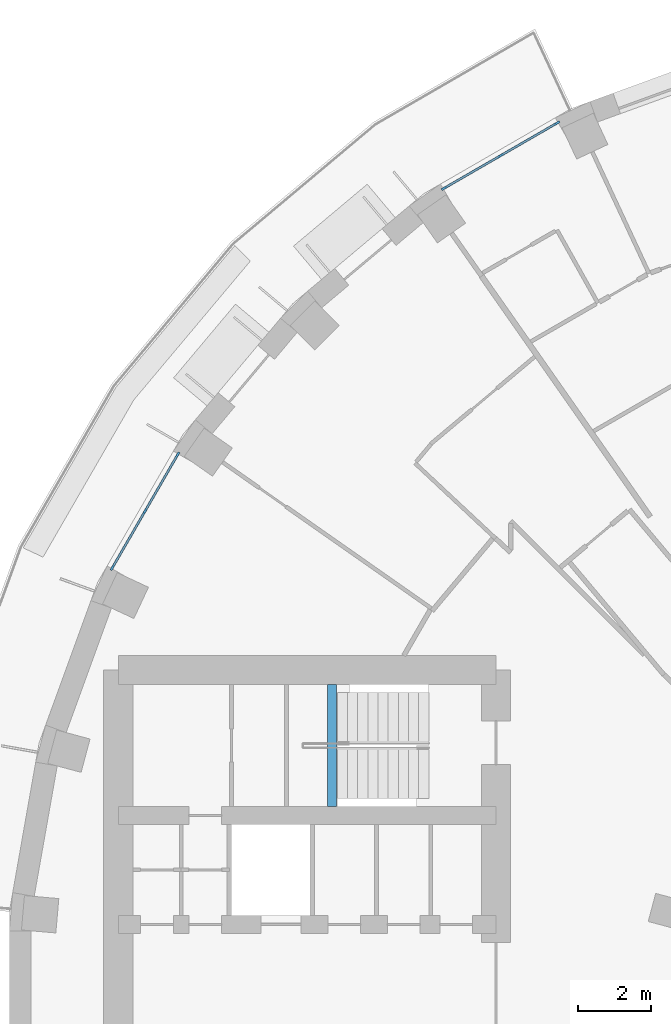
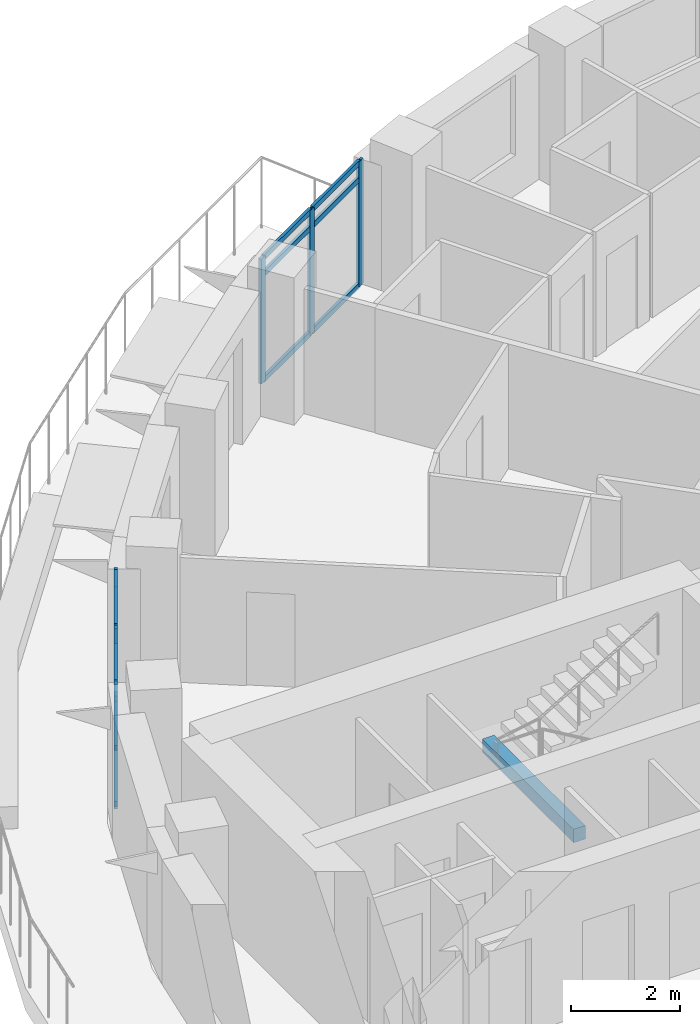
# One storey, part 2 of 14: 18 members, 1 beam, 2 elements without a shape of their own.
"""IFC4 building model written with IfcOpenShell, lengths in metres."""

from ifc_helpers import new_model, si_unit, direction, frame, origin, origin_2d, place, context, subcontext, project, spatial, rectangle, extrude, material, layer, layer_set, material_profile, profile_set, type_object, element, aggregate, save


model = new_model("IFC4")

# Units and contexts
model_context = context("Model", 3, precision=1e-05, world=origin(), true_north=direction((0.0, 1.0)))
body_context = subcontext(model_context, "Body", "Model", "MODEL_VIEW")
ifc_project = project(units=[si_unit("LENGTHUNIT", "METRE"), si_unit("AREAUNIT", "SQUARE_METRE"), si_unit("VOLUMEUNIT", "CUBIC_METRE"), si_unit("PLANEANGLEUNIT", "RADIAN"), si_unit("MASSUNIT", "GRAM", prefix="KILO")], contexts=[model_context])

# Site, building, storey
site_placement = place(None, origin())
site = spatial("IfcSite", under=ifc_project, at=site_placement, CompositionType="ELEMENT")
building_placement = place(site_placement, origin())
building = spatial("IfcBuilding", under=site, at=building_placement, Name="Saqina Gate Tower", CompositionType="ELEMENT")
storey_placement = place(building_placement, frame((0.0, 0.0, 105.10009765625)))
storey = spatial("IfcBuildingStorey", under=building, at=storey_placement, Name="L29", CompositionType="ELEMENT", Elevation=105.10009765625)

# Curtain wall, members
ifc_material_1 = material(Name="Aluminium glazing", Category="aluminium")
ifc_layer = layer(ifc_material_1, 0.159912109375)
ifc_layer_set = layer_set([ifc_layer], Name="CWT-4")
curtain_wall_type = type_object("IfcCurtainWallType", Name="CWT-4", PredefinedType="NOTDEFINED", material=ifc_layer_set)
curtain_wall_1_placement = place(storey_placement, origin())
curtain_wall_1 = element("IfcCurtainWall", 1, at=curtain_wall_1_placement, inside=storey, type_object=curtain_wall_type, Name="Terrace lounge glazing facet 12", PredefinedType="NOTDEFINED")
ifc_material_2 = material(Name="Aluminium", Category="aluminium")
ifc_material_profile_1 = material_profile(ifc_material_2, rectangle(XDim=0.06005859375, YDim=0.159912109375, at=origin_2d()), Name="Aluminium 60x160")
ifc_profile_set_1 = profile_set([ifc_material_profile_1], Name="Aluminium")
member_type_1 = type_object("IfcMemberType", Name="CWT-4M", PredefinedType="MULLION", material=ifc_profile_set_1)
member_1_placement = place(storey_placement, frame((-11.820068359375, 24.060791015625, 0.0), z_axis=(0.0, 0.0, 1.0), x_axis=(0.499998512381, -0.86602626266, 0.0)))
member_1 = element("IfcMember", 2, at=member_1_placement, type_object=member_type_1, Name="CW4-12 mullion 1", PredefinedType="MULLION", context=body_context, shape_type="SweptSolid", body=[
    extrude(rectangle(XDim=0.06005859375, YDim=0.159912109375, at=origin_2d()), origin(), (0.0, 0.0, 1.0), 2.7998046875),
])
member_2_placement = place(storey_placement, frame((-13.37353515625, 23.163818359375, 0.0), z_axis=(0.0, 0.0, 1.0), x_axis=(0.499998512381, -0.86602626266, 0.0)))
member_2 = element("IfcMember", 3, at=member_2_placement, type_object=member_type_1, Name="CW4-12 mullion 2", PredefinedType="MULLION", context=body_context, shape_type="SweptSolid", body=[
    extrude(rectangle(XDim=0.06005859375, YDim=0.159912109375, at=origin_2d()), origin(), (0.0, 0.0, 1.0), 2.7998046875),
])
member_3_placement = place(storey_placement, frame((-14.92724609375, 22.266845703125, 0.0), z_axis=(0.0, 0.0, 1.0), x_axis=(0.499998512381, -0.86602626266, 0.0)))
member_3 = element("IfcMember", 4, at=member_3_placement, type_object=member_type_1, Name="CW4-12 mullion 3", PredefinedType="MULLION", context=body_context, shape_type="SweptSolid", body=[
    extrude(rectangle(XDim=0.06005859375, YDim=0.159912109375, at=origin_2d()), origin(), (0.0, 0.0, 1.0), 2.7998046875),
])

curtain_wall_2_placement = place(storey_placement, origin())
curtain_wall_2 = element("IfcCurtainWall", 5, at=curtain_wall_2_placement, inside=storey, type_object=curtain_wall_type, Name="Terrace lounge glazing facet 15", PredefinedType="NOTDEFINED")
member_4_placement = place(storey_placement, frame((-22.266845703125, 14.92724609375, 0.0), z_axis=(0.0, 0.0, 1.0), x_axis=(0.86602626266, -0.499998512381, 0.0)))
member_4 = element("IfcMember", 6, at=member_4_placement, type_object=member_type_1, Name="CW4-15 mullion 1", PredefinedType="MULLION", context=body_context, shape_type="SweptSolid", body=[
    extrude(rectangle(XDim=0.06005859375, YDim=0.159912109375, at=origin_2d()), origin(), (0.0, 0.0, 1.0), 2.7998046875),
])
member_5_placement = place(storey_placement, frame((-23.163818359375, 13.37353515625, 0.0), z_axis=(0.0, 0.0, 1.0), x_axis=(0.86602626266, -0.499998512381, 0.0)))
member_5 = element("IfcMember", 7, at=member_5_placement, type_object=member_type_1, Name="CW4-15 mullion 2", PredefinedType="MULLION", context=body_context, shape_type="SweptSolid", body=[
    extrude(rectangle(XDim=0.06005859375, YDim=0.159912109375, at=origin_2d()), origin(), (0.0, 0.0, 1.0), 2.7998046875),
])
member_6_placement = place(storey_placement, frame((-24.060791015625, 11.820068359375, 0.0), z_axis=(0.0, 0.0, 1.0), x_axis=(0.86602626266, -0.499998512381, 0.0)))
member_6 = element("IfcMember", 8, at=member_6_placement, type_object=member_type_1, Name="CW4-15 mullion 3", PredefinedType="MULLION", context=body_context, shape_type="SweptSolid", body=[
    extrude(rectangle(XDim=0.06005859375, YDim=0.159912109375, at=origin_2d()), origin(), (0.0, 0.0, 1.0), 2.7998046875),
])

# Member
ifc_material_3 = material(Name="Aluminium", Category="aluminium")
ifc_material_profile_2 = material_profile(ifc_material_3, rectangle(XDim=0.06005859375, YDim=0.1201171875, at=origin_2d()), Name="Aluminium 60x120")
ifc_profile_set_2 = profile_set([ifc_material_profile_2], Name="Aluminium")
member_type_2 = type_object("IfcMemberType", Name="CWT-4T", PredefinedType="USERDEFINED", material=ifc_profile_set_2)
member_7_placement = place(storey_placement, frame((-11.845947265625, 24.0458984375, 0.02978515625), z_axis=(-0.866042565811, -0.49997027332, 0.0), x_axis=(0.49997027332, -0.866042565811, 0.0)))
member_7 = element("IfcMember", 9, at=member_7_placement, type_object=member_type_2, Name="CW4-12 transom 1.1", ObjectType="TRANSOM", PredefinedType="USERDEFINED", context=body_context, shape_type="SweptSolid", body=[
    extrude(rectangle(XDim=0.06005859375, YDim=0.1201171875, at=origin_2d()), origin(), (0.0, 0.0, 1.0), 1.73388671875),
])

member_8_placement = place(storey_placement, frame((-11.845947265625, 24.0458984375, 2.39990234375), z_axis=(-0.866042565811, -0.49997027332, 0.0), x_axis=(0.49997027332, -0.866042565811, 0.0)))
member_8 = element("IfcMember", 10, at=member_8_placement, type_object=member_type_2, Name="CW4-12 transom 1.2", ObjectType="TRANSOM", PredefinedType="USERDEFINED", context=body_context, shape_type="SweptSolid", body=[
    extrude(rectangle(XDim=0.06005859375, YDim=0.1201171875, at=origin_2d()), origin(), (0.0, 0.0, 1.0), 1.73388671875),
])

member_9_placement = place(storey_placement, frame((-11.845947265625, 24.0458984375, 2.77001953125), z_axis=(-0.866042565811, -0.49997027332, 0.0), x_axis=(0.49997027332, -0.866042565811, 0.0)))
member_9 = element("IfcMember", 11, at=member_9_placement, type_object=member_type_2, Name="CW4-12 transom 1.3", ObjectType="TRANSOM", PredefinedType="USERDEFINED", context=body_context, shape_type="SweptSolid", body=[
    extrude(rectangle(XDim=0.06005859375, YDim=0.1201171875, at=origin_2d()), origin(), (0.0, 0.0, 1.0), 1.73388671875),
])

member_10_placement = place(storey_placement, frame((-13.399658203125, 23.14892578125, 0.02978515625), z_axis=(-0.866007364299, -0.500031244004, 0.0), x_axis=(0.500031244004, -0.866007364299, 0.0)))
member_10 = element("IfcMember", 12, at=member_10_placement, type_object=member_type_2, Name="CW4-12 transom 2.1", ObjectType="TRANSOM", PredefinedType="USERDEFINED", context=body_context, shape_type="SweptSolid", body=[
    extrude(rectangle(XDim=0.06005859375, YDim=0.1201171875, at=origin_2d()), origin(), (0.0, 0.0, 1.0), 1.73388671875),
])

member_11_placement = place(storey_placement, frame((-13.399658203125, 23.14892578125, 2.39990234375), z_axis=(-0.866007364299, -0.500031244004, 0.0), x_axis=(0.500031244004, -0.866007364299, 0.0)))
member_11 = element("IfcMember", 13, at=member_11_placement, type_object=member_type_2, Name="CW4-12 transom 2.2", ObjectType="TRANSOM", PredefinedType="USERDEFINED", context=body_context, shape_type="SweptSolid", body=[
    extrude(rectangle(XDim=0.06005859375, YDim=0.1201171875, at=origin_2d()), origin(), (0.0, 0.0, 1.0), 1.73388671875),
])

member_12_placement = place(storey_placement, frame((-13.399658203125, 23.14892578125, 2.77001953125), z_axis=(-0.866007364299, -0.500031244004, 0.0), x_axis=(0.500031244004, -0.866007364299, 0.0)))
member_12 = element("IfcMember", 14, at=member_12_placement, type_object=member_type_2, Name="CW4-12 transom 2.3", ObjectType="TRANSOM", PredefinedType="USERDEFINED", context=body_context, shape_type="SweptSolid", body=[
    extrude(rectangle(XDim=0.06005859375, YDim=0.1201171875, at=origin_2d()), origin(), (0.0, 0.0, 1.0), 1.73388671875),
])

aggregate(curtain_wall_1, [member_1, member_2, member_3, member_7, member_8, member_9, member_10, member_11, member_12])

member_13_placement = place(storey_placement, frame((-22.281982421875, 14.901123046875, 0.02978515625), z_axis=(-0.500031244004, -0.866007364299, 0.0), x_axis=(0.866007364299, -0.500031244004, 0.0)))
member_13 = element("IfcMember", 15, at=member_13_placement, type_object=member_type_2, Name="CW4-15 transom 1.1", ObjectType="TRANSOM", PredefinedType="USERDEFINED", context=body_context, shape_type="SweptSolid", body=[
    extrude(rectangle(XDim=0.06005859375, YDim=0.1201171875, at=origin_2d()), origin(), (0.0, 0.0, 1.0), 1.73388671875),
])

member_14_placement = place(storey_placement, frame((-22.281982421875, 14.901123046875, 2.39990234375), z_axis=(-0.500031244004, -0.866007364299, 0.0), x_axis=(0.866007364299, -0.500031244004, 0.0)))
member_14 = element("IfcMember", 16, at=member_14_placement, type_object=member_type_2, Name="CW4-15 transom 1.2", ObjectType="TRANSOM", PredefinedType="USERDEFINED", context=body_context, shape_type="SweptSolid", body=[
    extrude(rectangle(XDim=0.06005859375, YDim=0.1201171875, at=origin_2d()), origin(), (0.0, 0.0, 1.0), 1.73388671875),
])

member_15_placement = place(storey_placement, frame((-22.281982421875, 14.901123046875, 2.77001953125), z_axis=(-0.500031244004, -0.866007364299, 0.0), x_axis=(0.866007364299, -0.500031244004, 0.0)))
member_15 = element("IfcMember", 17, at=member_15_placement, type_object=member_type_2, Name="CW4-15 transom 1.3", ObjectType="TRANSOM", PredefinedType="USERDEFINED", context=body_context, shape_type="SweptSolid", body=[
    extrude(rectangle(XDim=0.06005859375, YDim=0.1201171875, at=origin_2d()), origin(), (0.0, 0.0, 1.0), 1.73388671875),
])

member_16_placement = place(storey_placement, frame((-23.178955078125, 13.34765625, 0.02978515625), z_axis=(-0.49997027332, -0.866042565811, 0.0), x_axis=(0.866042565811, -0.49997027332, 0.0)))
member_16 = element("IfcMember", 18, at=member_16_placement, type_object=member_type_2, Name="CW4-15 transom 2.1", ObjectType="TRANSOM", PredefinedType="USERDEFINED", context=body_context, shape_type="SweptSolid", body=[
    extrude(rectangle(XDim=0.06005859375, YDim=0.1201171875, at=origin_2d()), origin(), (0.0, 0.0, 1.0), 1.73388671875),
])

member_17_placement = place(storey_placement, frame((-23.178955078125, 13.34765625, 2.39990234375), z_axis=(-0.49997027332, -0.866042565811, 0.0), x_axis=(0.866042565811, -0.49997027332, 0.0)))
member_17 = element("IfcMember", 19, at=member_17_placement, type_object=member_type_2, Name="CW4-15 transom 2.2", ObjectType="TRANSOM", PredefinedType="USERDEFINED", context=body_context, shape_type="SweptSolid", body=[
    extrude(rectangle(XDim=0.06005859375, YDim=0.1201171875, at=origin_2d()), origin(), (0.0, 0.0, 1.0), 1.73388671875),
])

member_18_placement = place(storey_placement, frame((-23.178955078125, 13.34765625, 2.77001953125), z_axis=(-0.49997027332, -0.866042565811, 0.0), x_axis=(0.866042565811, -0.49997027332, 0.0)))
member_18 = element("IfcMember", 20, at=member_18_placement, type_object=member_type_2, Name="CW4-15 transom 2.3", ObjectType="TRANSOM", PredefinedType="USERDEFINED", context=body_context, shape_type="SweptSolid", body=[
    extrude(rectangle(XDim=0.06005859375, YDim=0.1201171875, at=origin_2d()), origin(), (0.0, 0.0, 1.0), 1.73388671875),
])

aggregate(curtain_wall_2, [member_4, member_5, member_6, member_13, member_14, member_15, member_16, member_17, member_18])

# Beam
ifc_material_4 = material(Name="Concrete C40/50", Category="concrete")
ifc_material_profile_3 = material_profile(ifc_material_4, rectangle(XDim=0.25, YDim=0.300048828125, at=origin_2d()), Name="STAIR LANDING BEAM")
ifc_profile_set_3 = profile_set([ifc_material_profile_3], Name="Concrete C40/50")
beam_type = type_object("IfcBeamType", Name="STAIR LANDING BEAM", PredefinedType="BEAM", material=ifc_profile_set_3)
beam_placement = place(storey_placement, frame((-18.02001953125, 5.25, 1.25), z_axis=(0.0, 1.0, 0.0), x_axis=(-1.0, 0.0, 0.0)))
element("IfcBeam", 21, at=beam_placement, inside=storey, type_object=beam_type, Name="EXIT STAIR 3 LANDING BEAM", PredefinedType="BEAM", context=body_context, shape_type="SweptSolid", body=[
    extrude(rectangle(XDim=0.25, YDim=0.300048828125, at=origin_2d()), origin(), (0.0, 0.0, 1.0), 3.35009765625),
])

save(model, "model.ifc")
